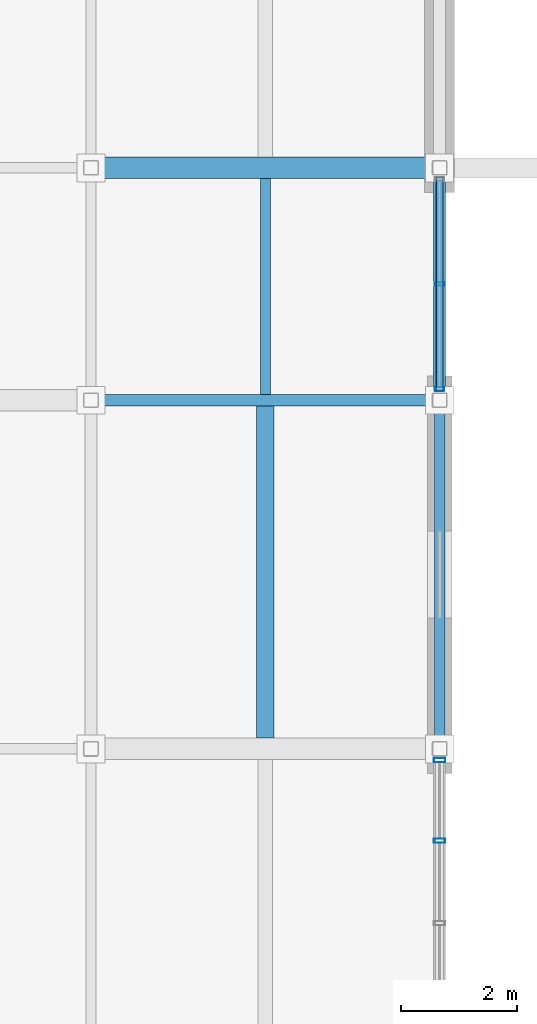
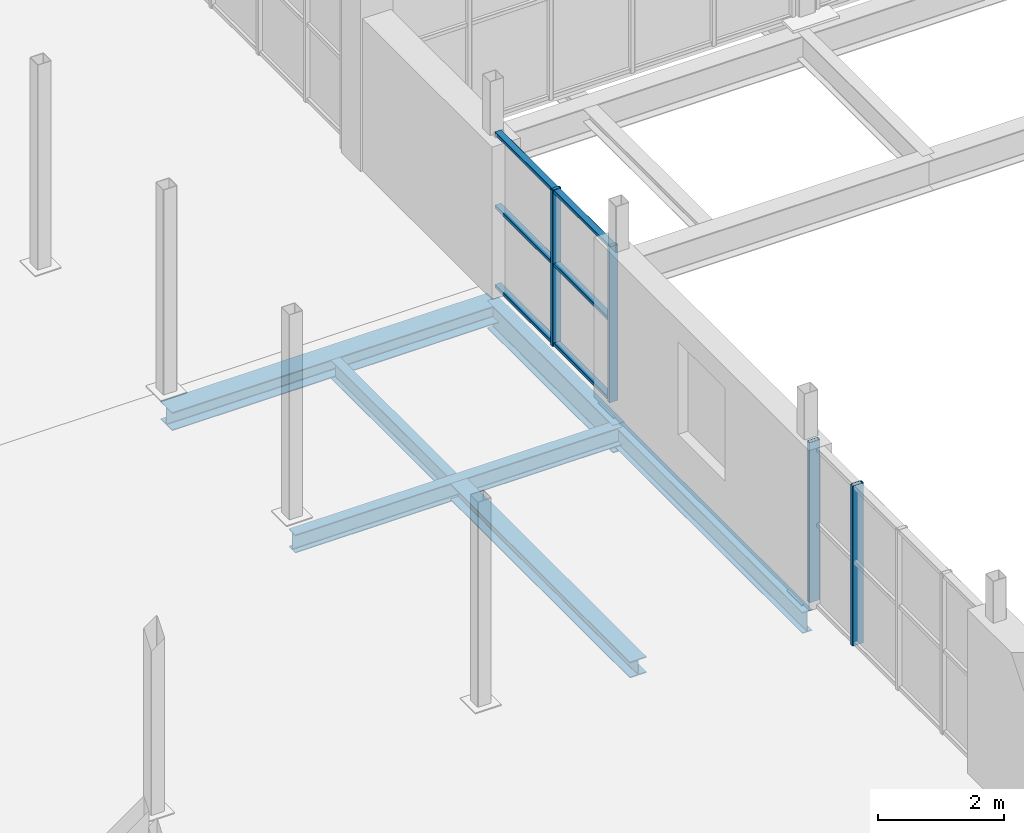
# One storey, part 30 of 96: 7 members, 6 beams, 2 elements without a shape of their own.
"""IFC4 building model written with IfcOpenShell, lengths in metres."""

from ifc_helpers import new_model, si_unit, direction, frame, origin, origin_2d, place, context, subcontext, project, spatial, hollow_rectangle, i_section, extrude, material, material_profile, profile_set, type_object, element, aggregate, save


model = new_model("IFC4")

# Units and contexts
model_context = context("Model", 3, precision=1e-05, world=origin(), true_north=direction((0.0, 1.0)))
body_context = subcontext(model_context, "Body", "Model", "MODEL_VIEW")
ifc_project = project(units=[si_unit("LENGTHUNIT", "METRE"), si_unit("AREAUNIT", "SQUARE_METRE"), si_unit("VOLUMEUNIT", "CUBIC_METRE"), si_unit("PLANEANGLEUNIT", "RADIAN"), si_unit("MASSUNIT", "GRAM", prefix="KILO")], contexts=[model_context])

# Site, building, storey
site_placement = place(None, origin())
site = spatial("IfcSite", under=ifc_project, at=site_placement, CompositionType="ELEMENT")
building_placement = place(site_placement, origin())
building = spatial("IfcBuilding", under=site, at=building_placement, Name="Verrall Gate Interchange", CompositionType="ELEMENT")
storey_placement = place(building_placement, frame((0.0, 0.0, 11.39990234375)))
storey = spatial("IfcBuildingStorey", under=building, at=storey_placement, Name="L03", CompositionType="ELEMENT", Elevation=11.39990234375)

# Beams
ifc_material_1 = material(Name="Structural Steel CSA G40.21 350W", Category="steel")
ifc_material_profile_1 = material_profile(ifc_material_1, i_section(OverallWidth=0.2109375, OverallDepth=0.5390625, WebThickness=0.01171875, FlangeThickness=0.018798828125, FilletRadius=0.013916015625, at=origin_2d()), Name="W530x109")
ifc_profile_set_1 = profile_set([ifc_material_profile_1], Name="Structural Steel CSA G40.21 350W")
beam_type_1 = type_object("IfcBeamType", Name="B-10 Structural Beam W530x109", PredefinedType="BEAM", material=ifc_profile_set_1)
beam_1_placement = place(storey_placement, frame((36.0, 40.0, -0.599365234375), z_axis=(0.0, 1.0, 0.0), x_axis=(-1.0, 0.0, 0.0)))
element("IfcBeam", 1, at=beam_1_placement, inside=storey, type_object=beam_type_1, Name="L03 Girder BM-L03-2265 (B-10)", PredefinedType="BEAM", context=body_context, shape_type="SweptSolid", body=[
    extrude(i_section(OverallWidth=0.2109375, OverallDepth=0.5390625, WebThickness=0.01171875, FlangeThickness=0.018798828125, FilletRadius=0.013916015625, at=origin_2d()), origin(), (0.0, 0.0, 1.0), 4.0),
])
ifc_material_2 = material(Name="Structural Steel CSA G40.21 350W", Category="steel")
ifc_material_profile_2 = material_profile(ifc_material_2, i_section(OverallWidth=0.178955078125, OverallDepth=0.409912109375, WebThickness=0.0087890625, FlangeThickness=0.014404296875, FilletRadius=0.011962890625, at=origin_2d()), Name="W410x67")
ifc_profile_set_2 = profile_set([ifc_material_profile_2], Name="Structural Steel CSA G40.21 350W")
beam_type_2 = type_object("IfcBeamType", Name="B-12 Structural Beam W410x67", PredefinedType="BEAM", material=ifc_profile_set_2)
beam_2_placement = place(storey_placement, frame((36.0, 34.0, -0.534912109375), z_axis=(0.0, 1.0, 0.0), x_axis=(-1.0, 0.0, 0.0)))
element("IfcBeam", 2, at=beam_2_placement, inside=storey, type_object=beam_type_2, Name="L03 Girder BM-L03-2264 (B-12)", PredefinedType="BEAM", context=body_context, shape_type="SweptSolid", body=[
    extrude(i_section(OverallWidth=0.178955078125, OverallDepth=0.409912109375, WebThickness=0.0087890625, FlangeThickness=0.014404296875, FilletRadius=0.011962890625, at=origin_2d()), origin(), (0.0, 0.0, 1.0), 6.0),
])
ifc_material_3 = material(Name="Structural Steel CSA G40.21 350W", Category="steel")
ifc_material_profile_3 = material_profile(ifc_material_3, i_section(OverallWidth=0.368896484375, OverallDepth=0.35595703125, WebThickness=0.01123046875, FlangeThickness=0.01806640625, FilletRadius=0.014892578125, at=origin_2d()), Name="W360x134")
ifc_profile_set_3 = profile_set([ifc_material_profile_3], Name="Structural Steel CSA G40.21 350W")
beam_type_3 = type_object("IfcBeamType", Name="B-13 Structural Beam W360x134", PredefinedType="BEAM", material=ifc_profile_set_3)
beam_3_placement = place(storey_placement, frame((30.0, 44.0, -0.5078125), z_axis=(1.0, 0.0, 0.0), x_axis=(0.0, 1.0, 0.0)))
element("IfcBeam", 3, at=beam_3_placement, inside=storey, type_object=beam_type_3, Name="L03 Girder BM-L03-2090 (B-13)", PredefinedType="BEAM", context=body_context, shape_type="SweptSolid", body=[
    extrude(i_section(OverallWidth=0.368896484375, OverallDepth=0.35595703125, WebThickness=0.01123046875, FlangeThickness=0.01806640625, FilletRadius=0.014892578125, at=origin_2d()), origin(), (0.0, 0.0, 1.0), 6.0),
])
ifc_material_4 = material(Name="Structural Steel CSA G40.21 350W", Category="steel")
ifc_material_profile_4 = material_profile(ifc_material_4, i_section(OverallWidth=0.205078125, OverallDepth=0.35400390625, WebThickness=0.009521484375, FlangeThickness=0.016845703125, FilletRadius=0.012939453125, at=origin_2d()), Name="W360x79")
ifc_profile_set_4 = profile_set([ifc_material_profile_4], Name="Structural Steel CSA G40.21 350W")
beam_type_4 = type_object("IfcBeamType", Name="B-14 Structural Beam W360x79", PredefinedType="BEAM", material=ifc_profile_set_4)
beam_4_placement = place(storey_placement, frame((30.0, 40.0, -0.5068359375), z_axis=(1.0, 0.0, 0.0), x_axis=(0.0, 1.0, 0.0)))
element("IfcBeam", 4, at=beam_4_placement, inside=storey, type_object=beam_type_4, Name="L03 Girder BM-L03-2079 (B-14)", PredefinedType="BEAM", context=body_context, shape_type="SweptSolid", body=[
    extrude(i_section(OverallWidth=0.205078125, OverallDepth=0.35400390625, WebThickness=0.009521484375, FlangeThickness=0.016845703125, FilletRadius=0.012939453125, at=origin_2d()), origin(), (0.0, 0.0, 1.0), 6.0),
])

# Curtain wall, members
ifc_material_5 = material(Name="Thermally Broken Anodized Aluminium Curtain Wall Framing", Category="aluminium")
curtain_wall_type_1 = type_object("IfcCurtainWallType", Name="CW-32 Unitized Curtain Wall 3682x3030", PredefinedType="NOTDEFINED", material=ifc_material_5)
curtain_wall_1_placement = place(storey_placement, origin())
curtain_wall_1 = element("IfcCurtainWall", 5, at=curtain_wall_1_placement, inside=storey, type_object=curtain_wall_type_1, Name="L03 Unitized Curtain Wall CW-L03-106", PredefinedType="NOTDEFINED")
ifc_material_6 = material(Name="Thermally Broken Anodized Aluminium Curtain Wall Framing", Category="aluminium")
ifc_material_profile_5 = material_profile(ifc_material_6, hollow_rectangle(XDim=0.06494140625, YDim=0.159912109375, WallThickness=0.00390625, InnerFilletRadius=0.00390625, OuterFilletRadius=0.008056640625, at=origin_2d()), Name="CWM160x65x4")
ifc_profile_set_5 = profile_set([ifc_material_profile_5], Name="Thermally Broken Anodized Aluminium Curtain Wall Framing")
member_type_1 = type_object("IfcMemberType", Name="CM-01 Curtain Mullion CWM160x65x4", PredefinedType="MULLION", material=ifc_profile_set_5)
member_1_placement = place(storey_placement, frame((36.0, 40.19140625, 0.0), z_axis=(0.0, 0.0, 1.0), x_axis=(0.0, 1.0, 0.0)))
member_1 = element("IfcMember", 6, at=member_1_placement, type_object=member_type_1, Name="CW-L03-106 Mullion 1", PredefinedType="MULLION", context=body_context, shape_type="SweptSolid", body=[
    extrude(hollow_rectangle(XDim=0.06494140625, YDim=0.159912109375, WallThickness=0.00390625, InnerFilletRadius=0.00390625, OuterFilletRadius=0.008056640625, at=origin_2d()), origin(), (0.0, 0.0, 1.0), 3.030029296875),
])
member_2_placement = place(storey_placement, frame((36.0, 42.0, 0.0), z_axis=(0.0, 0.0, 1.0), x_axis=(0.0, 1.0, 0.0)))
member_2 = element("IfcMember", 7, at=member_2_placement, type_object=member_type_1, Name="CW-L03-106 Mullion 2", PredefinedType="MULLION", context=body_context, shape_type="SweptSolid", body=[
    extrude(hollow_rectangle(XDim=0.06494140625, YDim=0.159912109375, WallThickness=0.00390625, InnerFilletRadius=0.00390625, OuterFilletRadius=0.008056640625, at=origin_2d()), origin(), (0.0, 0.0, 1.0), 3.030029296875),
])

ifc_material_7 = material(Name="Thermally Broken Anodized Aluminium Curtain Wall Framing", Category="aluminium")
curtain_wall_type_2 = type_object("IfcCurtainWallType", Name="CW-31 Unitized Curtain Wall 5682x3110", PredefinedType="NOTDEFINED", material=ifc_material_7)
curtain_wall_2_placement = place(storey_placement, origin())
curtain_wall_2 = element("IfcCurtainWall", 8, at=curtain_wall_2_placement, inside=storey, type_object=curtain_wall_type_2, Name="L03 Unitized Curtain Wall CW-L03-105", PredefinedType="NOTDEFINED")
ifc_material_8 = material(Name="Thermally Broken Anodized Aluminium Curtain Wall Framing", Category="aluminium")
ifc_material_profile_6 = material_profile(ifc_material_8, hollow_rectangle(XDim=0.074951171875, YDim=0.199951171875, WallThickness=0.0048828125, InnerFilletRadius=0.0048828125, OuterFilletRadius=0.010009765625, at=origin_2d()), Name="CWM200x75x5")
ifc_profile_set_6 = profile_set([ifc_material_profile_6], Name="Thermally Broken Anodized Aluminium Curtain Wall Framing")
member_type_2 = type_object("IfcMemberType", Name="CM-02 Curtain Mullion CWM200x75x5", PredefinedType="MULLION", material=ifc_profile_set_6)
member_3_placement = place(storey_placement, frame((36.0, 32.42041015625, 0.0), z_axis=(0.0, 0.0, 1.0), x_axis=(0.0, 1.0, 0.0)))
member_3 = element("IfcMember", 9, at=member_3_placement, type_object=member_type_2, Name="CW-L03-105 Mullion 4", PredefinedType="MULLION", context=body_context, shape_type="SweptSolid", body=[
    extrude(hollow_rectangle(XDim=0.074951171875, YDim=0.199951171875, WallThickness=0.0048828125, InnerFilletRadius=0.0048828125, OuterFilletRadius=0.010009765625, at=origin_2d()), origin(), (0.0, 0.0, 1.0), 3.110107421875),
])
member_4_placement = place(storey_placement, frame((36.0, 33.803466796875, 0.0), z_axis=(0.0, 0.0, 1.0), x_axis=(0.0, 1.0, 0.0)))
member_4 = element("IfcMember", 10, at=member_4_placement, type_object=member_type_2, Name="CW-L03-105 Mullion 5", PredefinedType="MULLION", context=body_context, shape_type="SweptSolid", body=[
    extrude(hollow_rectangle(XDim=0.074951171875, YDim=0.199951171875, WallThickness=0.0048828125, InnerFilletRadius=0.0048828125, OuterFilletRadius=0.010009765625, at=origin_2d()), origin(), (0.0, 0.0, 1.0), 3.110107421875),
])
aggregate(curtain_wall_2, [member_3, member_4])

# Member
ifc_material_9 = material(Name="Thermally Broken Anodized Aluminium Curtain Wall Framing", Category="aluminium")
ifc_material_profile_7 = material_profile(ifc_material_9, hollow_rectangle(XDim=0.1201171875, YDim=0.06494140625, WallThickness=0.00390625, InnerFilletRadius=0.00390625, OuterFilletRadius=0.008056640625, at=origin_2d()), Name="CWT120x65x4")
ifc_profile_set_7 = profile_set([ifc_material_profile_7], Name="Thermally Broken Anodized Aluminium Curtain Wall Framing")
member_type_3 = type_object("IfcMemberType", Name="CT-01 Curtain Transom CWT120x65x4", PredefinedType="USERDEFINED", material=ifc_profile_set_7)
member_5_placement = place(storey_placement, frame((36.0, 40.158935546875, 0.03271484375), z_axis=(0.0, 1.0, 0.0), x_axis=(-1.0, 0.0, 0.0)))
member_5 = element("IfcMember", 11, at=member_5_placement, type_object=member_type_3, Name="CW-L03-106 Transom 1", ObjectType="TRANSOM", PredefinedType="USERDEFINED", context=body_context, shape_type="SweptSolid", body=[
    extrude(hollow_rectangle(XDim=0.1201171875, YDim=0.06494140625, WallThickness=0.00390625, InnerFilletRadius=0.00390625, OuterFilletRadius=0.008056640625, at=origin_2d()), origin(), (0.0, 0.0, 1.0), 3.68212890625),
])

member_6_placement = place(storey_placement, frame((36.0, 40.158935546875, 1.57568359375), z_axis=(0.0, 1.0, 0.0), x_axis=(-1.0, 0.0, 0.0)))
member_6 = element("IfcMember", 12, at=member_6_placement, type_object=member_type_3, Name="CW-L03-106 Transom 2", ObjectType="TRANSOM", PredefinedType="USERDEFINED", context=body_context, shape_type="SweptSolid", body=[
    extrude(hollow_rectangle(XDim=0.1201171875, YDim=0.06494140625, WallThickness=0.00390625, InnerFilletRadius=0.00390625, OuterFilletRadius=0.008056640625, at=origin_2d()), origin(), (0.0, 0.0, 1.0), 3.68212890625),
])

member_7_placement = place(storey_placement, frame((36.0, 40.158935546875, 2.99755859375), z_axis=(0.0, 1.0, 0.0), x_axis=(-1.0, 0.0, 0.0)))
member_7 = element("IfcMember", 13, at=member_7_placement, type_object=member_type_3, Name="CW-L03-106 Transom 3", ObjectType="TRANSOM", PredefinedType="USERDEFINED", context=body_context, shape_type="SweptSolid", body=[
    extrude(hollow_rectangle(XDim=0.1201171875, YDim=0.06494140625, WallThickness=0.00390625, InnerFilletRadius=0.00390625, OuterFilletRadius=0.008056640625, at=origin_2d()), origin(), (0.0, 0.0, 1.0), 3.68212890625),
])

aggregate(curtain_wall_1, [member_1, member_2, member_5, member_6, member_7])

# Beams
ifc_material_10 = material(Name="Structural Steel CSA G40.21 350W", Category="steel")
ifc_material_profile_8 = material_profile(ifc_material_10, i_section(OverallWidth=0.172119140625, OverallDepth=0.35791015625, WebThickness=0.0078125, FlangeThickness=0.01318359375, FilletRadius=0.010986328125, at=origin_2d()), Name="W360x57")
ifc_profile_set_8 = profile_set([ifc_material_profile_8], Name="Structural Steel CSA G40.21 350W")
beam_type_5 = type_object("IfcBeamType", Name="J-01 Floor Joist W360x57", PredefinedType="JOIST", material=ifc_profile_set_8)
beam_5_placement = place(storey_placement, frame((33.0, 40.1025390625, -0.5087890625), z_axis=(0.0, 1.0, 0.0), x_axis=(-1.0, 0.0, 0.0)))
element("IfcBeam", 14, at=beam_5_placement, inside=storey, type_object=beam_type_5, Name="L03 Secondary Floor Joist JST-L03-2457", PredefinedType="JOIST", context=body_context, shape_type="SweptSolid", body=[
    extrude(i_section(OverallWidth=0.172119140625, OverallDepth=0.35791015625, WebThickness=0.0078125, FlangeThickness=0.01318359375, FilletRadius=0.010986328125, at=origin_2d()), origin(), (0.0, 0.0, 1.0), 3.712890625),
])
ifc_material_11 = material(Name="Structural Steel CSA G40.21 350W", Category="steel")
ifc_material_profile_9 = material_profile(ifc_material_11, i_section(OverallWidth=0.306884765625, OverallDepth=0.31396484375, WebThickness=0.011962890625, FlangeThickness=0.018798828125, FilletRadius=0.013916015625, at=origin_2d()), Name="W310x118")
ifc_profile_set_9 = profile_set([ifc_material_profile_9], Name="Structural Steel CSA G40.21 350W")
beam_type_6 = type_object("IfcBeamType", Name="J-02 Floor Joist W310x118", PredefinedType="JOIST", material=ifc_profile_set_9)
beam_6_placement = place(storey_placement, frame((33.0, 34.1845703125, -0.48681640625), z_axis=(0.0, 1.0, 0.0), x_axis=(-1.0, 0.0, 0.0)))
element("IfcBeam", 15, at=beam_6_placement, inside=storey, type_object=beam_type_6, Name="L03 Secondary Floor Joist JST-L03-2449", PredefinedType="JOIST", context=body_context, shape_type="SweptSolid", body=[
    extrude(i_section(OverallWidth=0.306884765625, OverallDepth=0.31396484375, WebThickness=0.011962890625, FlangeThickness=0.018798828125, FilletRadius=0.013916015625, at=origin_2d()), origin(), (0.0, 0.0, 1.0), 5.712890625),
])

save(model, "model.ifc")
